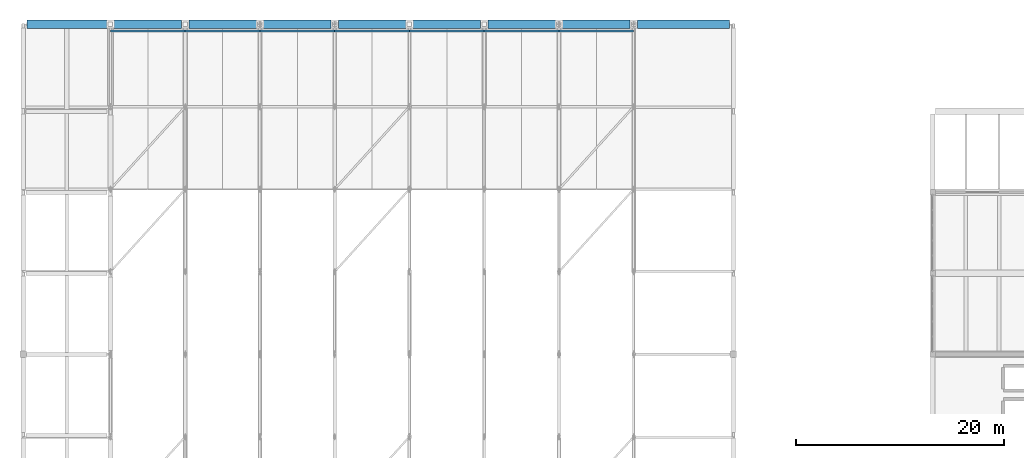
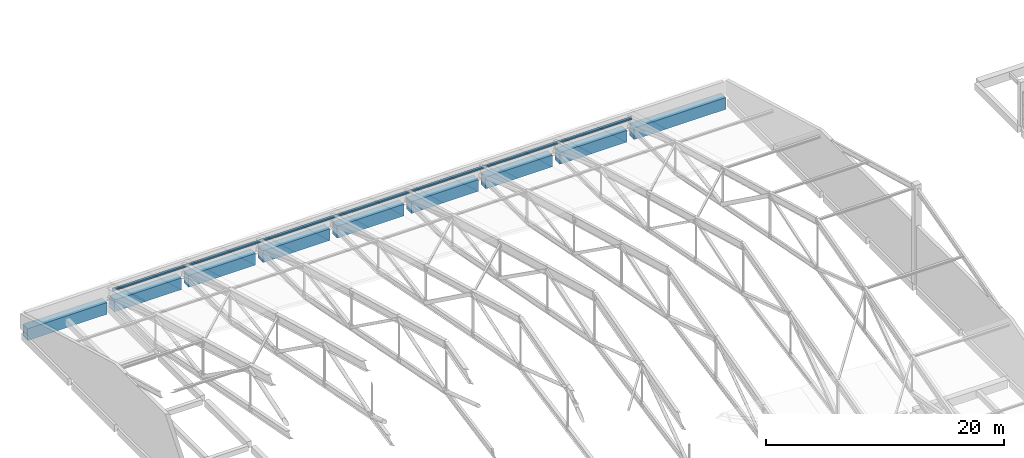
# One storey, part 35 of 53: 9 beams, 7 members.
"""IFC4 building model written with IfcOpenShell, lengths in metres."""

from ifc_helpers import new_model, si_unit, direction, frame, origin, origin_2d, place, context, subcontext, project, spatial, rectangle, i_section, extrude, material, material_profile, profile_set, type_object, element, save


model = new_model("IFC4")

# Units and contexts
model_context = context("Model", 3, precision=1e-05, world=origin(), true_north=direction((0.0, 1.0)))
body_context = subcontext(model_context, "Body", "Model", "MODEL_VIEW")
ifc_project = project(units=[si_unit("LENGTHUNIT", "METRE"), si_unit("AREAUNIT", "SQUARE_METRE"), si_unit("VOLUMEUNIT", "CUBIC_METRE"), si_unit("PLANEANGLEUNIT", "RADIAN"), si_unit("MASSUNIT", "GRAM", prefix="KILO")], contexts=[model_context])

# Site, building, storey
site_placement = place(None, origin())
site = spatial("IfcSite", under=ifc_project, at=site_placement, CompositionType="ELEMENT")
building_placement = place(site_placement, origin())
building = spatial("IfcBuilding", under=site, at=building_placement, Name="Pellamere Symphony Hall", CompositionType="ELEMENT")
storey_placement = place(building_placement, frame((0.0, 0.0, 24.0)))
storey = spatial("IfcBuildingStorey", under=building, at=storey_placement, Name="L05", CompositionType="ELEMENT", Elevation=24.0)

# Beams
ifc_material_1 = material(Name="Concrete 50 MPa", Category="concrete")
ifc_material_profile_1 = material_profile(ifc_material_1, rectangle(XDim=0.800048828125, YDim=1.199951171875, at=origin_2d()), Name="RC 800x1200")
ifc_profile_set_1 = profile_set([ifc_material_profile_1], Name="Concrete 50 MPa")
beam_type = type_object("IfcBeamType", Name="RC CB-01 800x1200", PredefinedType="BEAM", material=ifc_profile_set_1)
beam_1_placement = place(storey_placement, frame((50.75, 93.60009765625, -0.60009765625), z_axis=(1.0, 0.0, 0.0), x_axis=(0.0, 1.0, 0.0)))
element("IfcBeam", 1, at=beam_1_placement, inside=storey, type_object=beam_type, Name="Girder CB-01-X2061 (L05)", PredefinedType="BEAM", context=body_context, shape_type="SweptSolid", body=[
    extrude(rectangle(XDim=0.800048828125, YDim=1.199951171875, at=origin_2d()), origin(), (0.0, 0.0, 1.0), 7.699951171875),
])
for number, where, z_axis, x_axis, name in (
    (2, (59.14990234375, 93.60009765625, -0.60009765625), (1.0, 0.0, 0.0), (0.0, 1.0, 0.0), "Girder CB-01-X2062 (L05)"),
    (3, (66.35009765625, 93.60009765625, -0.60009765625), (1.0, 0.0, 0.0), (0.0, 1.0, 0.0), "Girder CB-01-X2063 (L05)"),
    (4, (73.550048828125, 93.60009765625, -0.60009765625), (1.0, 0.0, 0.0), (0.0, 1.0, 0.0), "Girder CB-01-X2064 (L05)"),
    (5, (80.75, 93.60009765625, -0.60009765625), (1.0, 0.0, 0.0), (0.0, 1.0, 0.0), "Girder CB-01-X2065 (L05)"),
    (6, (87.949951171875, 93.60009765625, -0.60009765625), (1.0, 0.0, 0.0), (0.0, 1.0, 0.0), "Girder CB-01-X2066 (L05)"),
    (7, (95.14990234375, 93.60009765625, -0.60009765625), (1.0, 0.0, 0.0), (0.0, 1.0, 0.0), "Girder CB-01-X2067 (L05)"),
    (8, (102.35009765625, 93.60009765625, -0.60009765625), (1.0, 0.0, 0.0), (0.0, 1.0, 0.0), "Girder CB-01-X2068 (L05)"),
):
    element("IfcBeam", number, at=place(storey_placement, frame(where, z_axis=z_axis, x_axis=x_axis)), inside=storey, type_object=beam_type, Name=name, PredefinedType="BEAM", context=body_context, shape_type="SweptSolid", body=[
        extrude(rectangle(XDim=0.800048828125, YDim=1.199951171875, at=origin_2d()), origin(), (0.0, 0.0, 1.0), 6.5),
    ])
beam_2_placement = place(storey_placement, frame((109.550048828125, 93.60009765625, -0.60009765625), z_axis=(1.0, 0.0, 0.0), x_axis=(0.0, 1.0, 0.0)))
element("IfcBeam", 9, at=beam_2_placement, inside=storey, type_object=beam_type, Name="Girder CB-01-X2069 (L05)", PredefinedType="BEAM", context=body_context, shape_type="SweptSolid", body=[
    extrude(rectangle(XDim=0.800048828125, YDim=1.199951171875, at=origin_2d()), origin(), (0.0, 0.0, 1.0), 8.89990234375),
])

# Members
ifc_material_2 = material(Name="Steel CSA G40.21 350W", Category="steel")
ifc_material_profile_2 = material_profile(ifc_material_2, i_section(OverallWidth=0.2041015625, OverallDepth=0.2060546875, WebThickness=0.0078125, FlangeThickness=0.0126953125, at=origin_2d()), Name="W200X52")
ifc_profile_set_2 = profile_set([ifc_material_profile_2], Name="Steel CSA G40.21 350W")
member_type = type_object("IfcMemberType", Name="Steel Member SM-15 W200X52", PredefinedType="PURLIN", material=ifc_profile_set_2)
for number, where, z_axis, x_axis, name in (
    (10, (58.800048828125, 92.949951171875, 1.31103515625), (1.0, 0.0, 0.0), (0.0, 1.0, 0.0), "Folded Roof Eave Purlin 1.8"),
    (11, (66.0, 92.949951171875, 1.31103515625), (1.0, 0.0, 0.0), (0.0, 1.0, 0.0), "Folded Roof Eave Purlin 2.8"),
    (12, (73.199951171875, 92.949951171875, 1.31103515625), (1.0, 0.0, 0.0), (0.0, 1.0, 0.0), "Folded Roof Eave Purlin 3.8"),
):
    element("IfcMember", number, at=place(storey_placement, frame(where, z_axis=z_axis, x_axis=x_axis)), inside=storey, type_object=member_type, Name=name, PredefinedType="PURLIN", context=body_context, shape_type="SweptSolid", body=[
        extrude(i_section(OverallWidth=0.2041015625, OverallDepth=0.2060546875, WebThickness=0.0078125, FlangeThickness=0.0126953125, at=origin_2d()), origin(), (0.0, 0.0, 1.0), 7.199951171875),
    ])
member_placement = place(storey_placement, frame((80.39990234375, 92.949951171875, 1.31103515625), z_axis=(1.0, 0.0, 0.0), x_axis=(0.0, 1.0, 0.0)))
element("IfcMember", 13, at=member_placement, inside=storey, type_object=member_type, Name="Folded Roof Eave Purlin 4.8", PredefinedType="PURLIN", context=body_context, shape_type="SweptSolid", body=[
    extrude(i_section(OverallWidth=0.2041015625, OverallDepth=0.2060546875, WebThickness=0.0078125, FlangeThickness=0.0126953125, at=origin_2d()), origin(), (0.0, 0.0, 1.0), 7.2001953125),
])
for number, where, z_axis, x_axis, name in (
    (14, (87.60009765625, 92.949951171875, 1.31103515625), (1.0, 0.0, 0.0), (0.0, 1.0, 0.0), "Folded Roof Eave Purlin 5.8"),
    (15, (94.800048828125, 92.949951171875, 1.31103515625), (1.0, 0.0, 0.0), (0.0, 1.0, 0.0), "Folded Roof Eave Purlin 6.8"),
    (16, (102.0, 92.949951171875, 1.31103515625), (1.0, 0.0, 0.0), (0.0, 1.0, 0.0), "Folded Roof Eave Purlin 7.8"),
):
    element("IfcMember", number, at=place(storey_placement, frame(where, z_axis=z_axis, x_axis=x_axis)), inside=storey, type_object=member_type, Name=name, PredefinedType="PURLIN", context=body_context, shape_type="SweptSolid", body=[
        extrude(i_section(OverallWidth=0.2041015625, OverallDepth=0.2060546875, WebThickness=0.0078125, FlangeThickness=0.0126953125, at=origin_2d()), origin(), (0.0, 0.0, 1.0), 7.199951171875),
    ])

save(model, "model.ifc")
